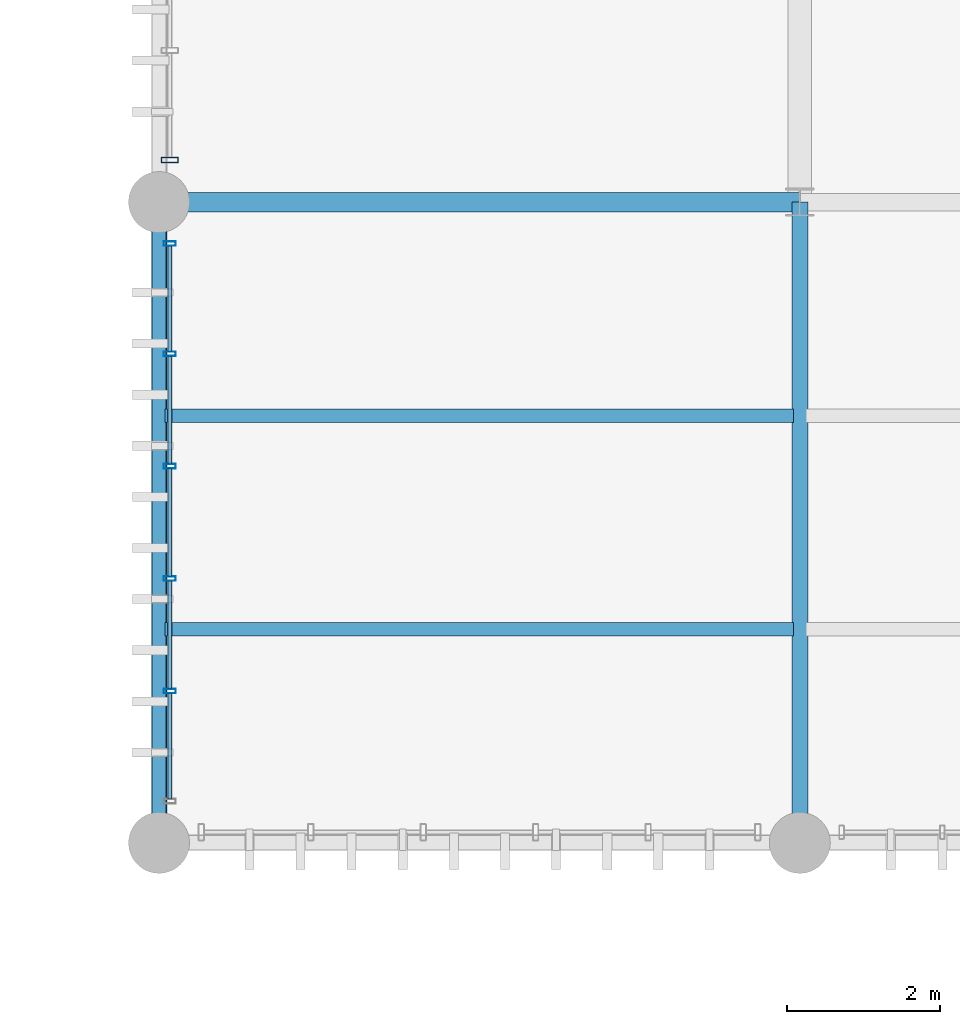
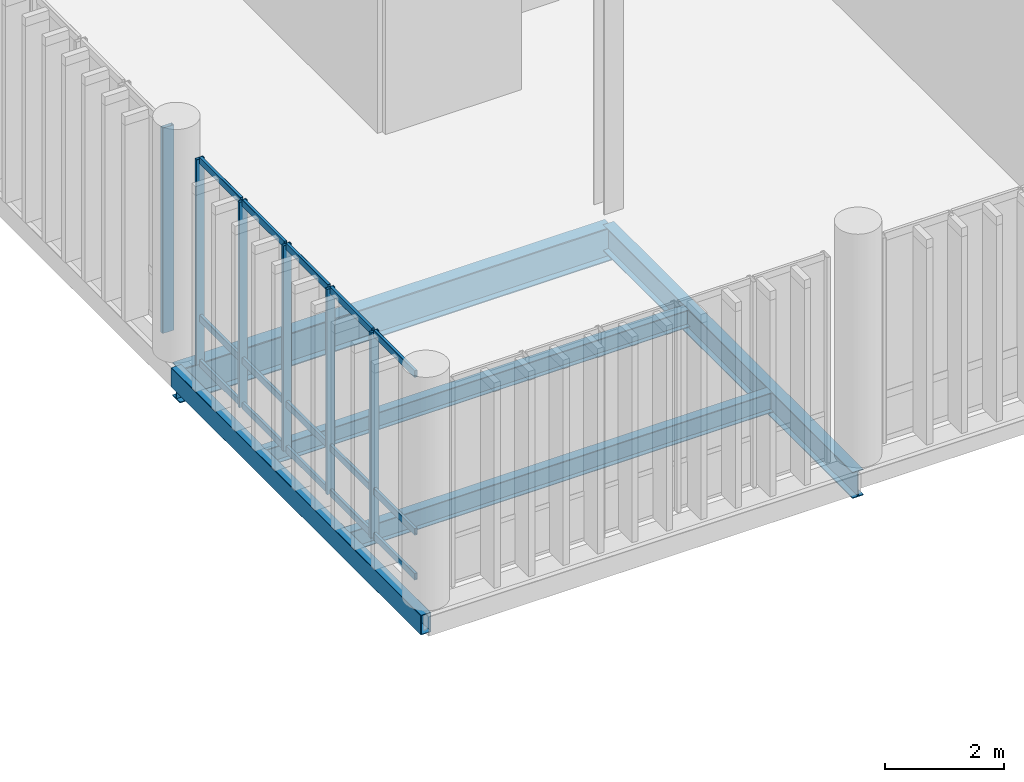
# One storey, part 54 of 94: 21 members, 5 beams, 2 elements without a shape of their own.
"""IFC4 building model written with IfcOpenShell, lengths in metres."""

from ifc_helpers import new_model, si_unit, direction, frame, origin_with_axes, origin_2d_with_axis, place, context, subcontext, project, spatial, hollow_rectangle, i_section, extrude, material, material_profile, profile_set, type_object, element, aggregate, save


model = new_model("IFC4")

# Units and contexts
model_context = context("Model", 3, precision=1e-05, world=origin_with_axes(), true_north=direction((0.0, 1.0)))
body_context = subcontext(model_context, "Body", "Model", "MODEL_VIEW")
ifc_project = project(units=[si_unit("LENGTHUNIT", "METRE"), si_unit("AREAUNIT", "SQUARE_METRE"), si_unit("VOLUMEUNIT", "CUBIC_METRE"), si_unit("PLANEANGLEUNIT", "RADIAN"), si_unit("MASSUNIT", "GRAM", prefix="KILO"), si_unit("THERMODYNAMICTEMPERATUREUNIT", "KELVIN")], contexts=[model_context])

# Site, building, storey
site_placement = place(None, origin_with_axes())
site = spatial("IfcSite", under=ifc_project, at=site_placement, CompositionType="ELEMENT")
building_placement = place(site_placement, origin_with_axes())
building = spatial("IfcBuilding", under=site, at=building_placement, Name="Montbau Bow Law Courts", CompositionType="ELEMENT")
storey_placement = place(building_placement, frame((0.0, 0.0, 15.6), z_axis=(0.0, 0.0, 1.0), x_axis=(1.0, 0.0, 0.0)))
storey = spatial("IfcBuildingStorey", under=building, at=storey_placement, Name="L03", CompositionType="ELEMENT", Elevation=15.6)

# Beams
ifc_material_1 = material(Name="Steel CSA G40.21 Grade 350W (350 MPa)", Category="steel")
ifc_material_profile_1 = material_profile(ifc_material_1, i_section(OverallWidth=0.254, OverallDepth=0.688, WebThickness=0.0131, FlangeThickness=0.0211, at=origin_2d_with_axis()), Name="W690X152", Category="Main", Priority=0)
ifc_profile_set_1 = profile_set([ifc_material_profile_1], Name="Steel CSA G40.21 Grade 350W (350 MPa)")
beam_type_1 = type_object("IfcBeamType", Name="B-FLR-04", PredefinedType="BEAM", material=ifc_profile_set_1)
beam_1_placement = place(None, frame((138.6, 78.0, 14.916), z_axis=(1.0, 0.0, 0.0), x_axis=(0.0, 1.0, 0.0)))
element("IfcBeam", 1, at=beam_1_placement, inside=storey, type_object=beam_type_1, Name="BM-L03-S1209:bm2_1212", PredefinedType="BEAM", context=body_context, shape_type="SweptSolid", body=[
    extrude(i_section(OverallWidth=0.254, OverallDepth=0.688, WebThickness=0.0131, FlangeThickness=0.0211, at=origin_2d_with_axis()), origin_with_axes(), (0.0, 0.0, 1.0), 8.4),
])
ifc_material_profile_2 = material_profile(ifc_material_1, i_section(OverallWidth=0.21, OverallDepth=0.537, WebThickness=0.0109, FlangeThickness=0.0174, at=origin_2d_with_axis()), Name="W530X101", Category="Main", Priority=0)
ifc_profile_set_2 = profile_set([ifc_material_profile_2], Name="Steel CSA G40.21 Grade 350W (350 MPa)")
beam_type_2 = type_object("IfcBeamType", Name="B-FLR-06", PredefinedType="BEAM", material=ifc_profile_set_2)
beam_2_placement = place(None, frame((147.0, 69.6, 14.992), z_axis=(0.0, 1.0, 0.0), x_axis=(-1.0, 0.0, 0.0)))
element("IfcBeam", 2, at=beam_2_placement, inside=storey, type_object=beam_type_2, Name="BM-L03-S1229:bm2_1232", PredefinedType="BEAM", context=body_context, shape_type="SweptSolid", body=[
    extrude(i_section(OverallWidth=0.21, OverallDepth=0.537, WebThickness=0.0109, FlangeThickness=0.0174, at=origin_2d_with_axis()), origin_with_axes(), (0.0, 0.0, 1.0), 8.4),
])
ifc_material_profile_3 = material_profile(ifc_material_1, i_section(OverallWidth=0.179, OverallDepth=0.41, WebThickness=0.0088, FlangeThickness=0.0144, at=origin_2d_with_axis()), Name="W410X67", Category="Main", Priority=0)
ifc_profile_set_3 = profile_set([ifc_material_profile_3], Name="Steel CSA G40.21 Grade 350W (350 MPa)")
beam_type_3 = type_object("IfcBeamType", Name="B-JST-02", PredefinedType="JOIST", material=ifc_profile_set_3)
beam_3_placement = place(None, frame((138.68, 72.4, 15.055), z_axis=(1.0, 0.0, 0.0), x_axis=(0.0, 1.0, 0.0)))
element("IfcBeam", 3, at=beam_3_placement, inside=storey, type_object=beam_type_3, Name="JST-L03-S0637:jst2_0637", PredefinedType="JOIST", context=body_context, shape_type="SweptSolid", body=[
    extrude(i_section(OverallWidth=0.179, OverallDepth=0.41, WebThickness=0.0088, FlangeThickness=0.0144, at=origin_2d_with_axis()), origin_with_axes(), (0.0, 0.0, 1.0), 8.239),
])
ifc_material_profile_4 = material_profile(ifc_material_1, i_section(OverallWidth=0.172, OverallDepth=0.358, WebThickness=0.0079, FlangeThickness=0.0131, at=origin_2d_with_axis()), Name="W360X57", Category="Main", Priority=0)
ifc_profile_set_4 = profile_set([ifc_material_profile_4], Name="Steel CSA G40.21 Grade 350W (350 MPa)")
beam_type_4 = type_object("IfcBeamType", Name="B-JST-03", PredefinedType="JOIST", material=ifc_profile_set_4)
beam_4_placement = place(None, frame((138.68, 75.2, 15.081), z_axis=(1.0, 0.0, 0.0), x_axis=(0.0, 1.0, 0.0)))
element("IfcBeam", 4, at=beam_4_placement, inside=storey, type_object=beam_type_4, Name="JST-L03-S0638:jst2_0638", PredefinedType="JOIST", context=body_context, shape_type="SweptSolid", body=[
    extrude(i_section(OverallWidth=0.172, OverallDepth=0.358, WebThickness=0.0079, FlangeThickness=0.0131, at=origin_2d_with_axis()), origin_with_axes(), (0.0, 0.0, 1.0), 8.239),
])
ifc_material_2 = material(Name="Steel CSA G40.21 Grade 350WT (350 MPa)", Category="steel")
ifc_material_profile_5 = material_profile(ifc_material_2, hollow_rectangle(XDim=0.203, YDim=0.406, WallThickness=0.0127, InnerFilletRadius=0.0254, OuterFilletRadius=0.0127, at=origin_2d_with_axis()), Name="HSS406X203X13", Category="Main", Priority=0)
ifc_profile_set_5 = profile_set([ifc_material_profile_5], Name="Steel CSA G40.21 Grade 350WT (350 MPa)")
beam_type_5 = type_object("IfcBeamType", Name="B-SPN-01", PredefinedType="SPANDREL", material=ifc_profile_set_5)
beam_5_placement = place(None, frame((138.6, 69.6, 15.057), z_axis=(0.0, 1.0, 0.0), x_axis=(-1.0, 0.0, 0.0)))
element("IfcBeam", 5, at=beam_5_placement, inside=storey, type_object=beam_type_5, Name="SPN-L03-S1225:bm2_1228", PredefinedType="SPANDREL", context=body_context, shape_type="SweptSolid", body=[
    extrude(hollow_rectangle(XDim=0.203, YDim=0.406, WallThickness=0.0127, InnerFilletRadius=0.0254, OuterFilletRadius=0.0127, at=origin_2d_with_axis()), origin_with_axes(), (0.0, 0.0, 1.0), 8.4),
])

# Curtain wall, member
ifc_material_3 = material(Name="Thermally Broken Extruded Aluminium AA 6063-T6", Category="aluminium")
curtain_wall_type = type_object("IfcCurtainWallType", Name="CW-SLT-01", PredefinedType="NOTDEFINED", material=ifc_material_3)
curtain_wall_1_placement = place(None, frame((138.74, 78.515, 15.6), z_axis=(0.0, 0.0, 1.0), x_axis=(1.0, 0.0, 0.0)))
curtain_wall_1 = element("IfcCurtainWall", 6, at=curtain_wall_1_placement, inside=storey, type_object=curtain_wall_type, Name="CW-L03-318:cw_0318", PredefinedType="NOTDEFINED")
ifc_material_profile_6 = material_profile(ifc_material_3, hollow_rectangle(XDim=0.075, YDim=0.22, WallThickness=0.005, InnerFilletRadius=0.01, OuterFilletRadius=0.005, at=origin_2d_with_axis()), Name="CWM-220X75", Category="Main", Priority=0)
ifc_profile_set_6 = profile_set([ifc_material_profile_6], Name="Thermally Broken Extruded Aluminium AA 6063-T6")
member_type_1 = type_object("IfcMemberType", Name="M-MUL-01", PredefinedType="MULLION", material=ifc_profile_set_6)
member_1_placement = place(None, frame((138.74, 78.552, 15.6), z_axis=(0.0, 0.0, 1.0), x_axis=(0.0, 1.0, 0.0)))
member_1 = element("IfcMember", 7, at=member_1_placement, type_object=member_type_1, Name="CW-L03-318-M01:cw_0318_M01", PredefinedType="MULLION", context=body_context, shape_type="SweptSolid", body=[
    extrude(hollow_rectangle(XDim=0.075, YDim=0.22, WallThickness=0.005, InnerFilletRadius=0.01, OuterFilletRadius=0.005, at=origin_2d_with_axis()), origin_with_axes(), (0.0, 0.0, 1.0), 4.22),
])
aggregate(curtain_wall_1, [member_1])

# Curtain wall, members
curtain_wall_2_placement = place(None, frame((138.74, 70.115, 15.6), z_axis=(0.0, 0.0, 1.0), x_axis=(1.0, 0.0, 0.0)))
curtain_wall_2 = element("IfcCurtainWall", 8, at=curtain_wall_2_placement, inside=storey, type_object=curtain_wall_type, Name="CW-L03-317:cw_0317", PredefinedType="NOTDEFINED")
ifc_material_profile_7 = material_profile(ifc_material_3, hollow_rectangle(XDim=0.06, YDim=0.16, WallThickness=0.004, InnerFilletRadius=0.008, OuterFilletRadius=0.004, at=origin_2d_with_axis()), Name="CWM-160X60", Category="Main", Priority=0)
ifc_profile_set_7 = profile_set([ifc_material_profile_7], Name="Thermally Broken Extruded Aluminium AA 6063-T6")
member_type_2 = type_object("IfcMemberType", Name="M-MUL-03", PredefinedType="MULLION", material=ifc_profile_set_7)
member_2_placement = place(None, frame((138.74, 71.589, 15.6), z_axis=(0.0, 0.0, 1.0), x_axis=(0.0, 1.0, 0.0)))
member_2 = element("IfcMember", 9, at=member_2_placement, type_object=member_type_2, Name="CW-L03-317-M02:cw_0317_M02", PredefinedType="MULLION", context=body_context, shape_type="SweptSolid", body=[
    extrude(hollow_rectangle(XDim=0.06, YDim=0.16, WallThickness=0.004, InnerFilletRadius=0.008, OuterFilletRadius=0.004, at=origin_2d_with_axis()), origin_with_axes(), (0.0, 0.0, 1.0), 4.22),
])
member_3_placement = place(None, frame((138.74, 73.063, 15.6), z_axis=(0.0, 0.0, 1.0), x_axis=(0.0, 1.0, 0.0)))
member_3 = element("IfcMember", 10, at=member_3_placement, type_object=member_type_2, Name="CW-L03-317-M03:cw_0317_M03", PredefinedType="MULLION", context=body_context, shape_type="SweptSolid", body=[
    extrude(hollow_rectangle(XDim=0.06, YDim=0.16, WallThickness=0.004, InnerFilletRadius=0.008, OuterFilletRadius=0.004, at=origin_2d_with_axis()), origin_with_axes(), (0.0, 0.0, 1.0), 4.22),
])
member_4_placement = place(None, frame((138.74, 74.537, 15.6), z_axis=(0.0, 0.0, 1.0), x_axis=(0.0, 1.0, 0.0)))
member_4 = element("IfcMember", 11, at=member_4_placement, type_object=member_type_2, Name="CW-L03-317-M04:cw_0317_M04", PredefinedType="MULLION", context=body_context, shape_type="SweptSolid", body=[
    extrude(hollow_rectangle(XDim=0.06, YDim=0.16, WallThickness=0.004, InnerFilletRadius=0.008, OuterFilletRadius=0.004, at=origin_2d_with_axis()), origin_with_axes(), (0.0, 0.0, 1.0), 4.22),
])
member_5_placement = place(None, frame((138.74, 76.011, 15.6), z_axis=(0.0, 0.0, 1.0), x_axis=(0.0, 1.0, 0.0)))
member_5 = element("IfcMember", 12, at=member_5_placement, type_object=member_type_2, Name="CW-L03-317-M05:cw_0317_M05", PredefinedType="MULLION", context=body_context, shape_type="SweptSolid", body=[
    extrude(hollow_rectangle(XDim=0.06, YDim=0.16, WallThickness=0.004, InnerFilletRadius=0.008, OuterFilletRadius=0.004, at=origin_2d_with_axis()), origin_with_axes(), (0.0, 0.0, 1.0), 4.22),
])
member_6_placement = place(None, frame((138.74, 77.455, 15.6), z_axis=(0.0, 0.0, 1.0), x_axis=(0.0, 1.0, 0.0)))
member_6 = element("IfcMember", 13, at=member_6_placement, type_object=member_type_2, Name="CW-L03-317-M06:cw_0317_M06", PredefinedType="MULLION", context=body_context, shape_type="SweptSolid", body=[
    extrude(hollow_rectangle(XDim=0.06, YDim=0.16, WallThickness=0.004, InnerFilletRadius=0.008, OuterFilletRadius=0.004, at=origin_2d_with_axis()), origin_with_axes(), (0.0, 0.0, 1.0), 4.22),
])
ifc_material_profile_8 = material_profile(ifc_material_3, hollow_rectangle(XDim=0.055, YDim=0.14, WallThickness=0.004, InnerFilletRadius=0.008, OuterFilletRadius=0.004, at=origin_2d_with_axis()), Name="CWT-140X55", Category="Main", Priority=0)
ifc_profile_set_8 = profile_set([ifc_material_profile_8], Name="Thermally Broken Extruded Aluminium AA 6063-T6")
member_type_3 = type_object("IfcMemberType", Name="M-TRN-02", PredefinedType="USERDEFINED", material=ifc_profile_set_8)
member_7_placement = place(None, frame((138.74, 70.177, 15.627), z_axis=(0.0, 1.0, 0.0), x_axis=(-1.0, 0.0, 0.0)))
member_7 = element("IfcMember", 14, at=member_7_placement, type_object=member_type_3, Name="CW-L03-317-T01-1:cw_0317_T01_1", ObjectType="TRANSOM", PredefinedType="USERDEFINED", context=body_context, shape_type="SweptSolid", body=[
    extrude(hollow_rectangle(XDim=0.055, YDim=0.14, WallThickness=0.004, InnerFilletRadius=0.008, OuterFilletRadius=0.004, at=origin_2d_with_axis()), origin_with_axes(), (0.0, 0.0, 1.0), 1.38),
])
member_8_placement = place(None, frame((138.74, 70.177, 16.55), z_axis=(0.0, 1.0, 0.0), x_axis=(-1.0, 0.0, 0.0)))
member_8 = element("IfcMember", 15, at=member_8_placement, type_object=member_type_3, Name="CW-L03-317-T01-2:cw_0317_T01_2", ObjectType="TRANSOM", PredefinedType="USERDEFINED", context=body_context, shape_type="SweptSolid", body=[
    extrude(hollow_rectangle(XDim=0.055, YDim=0.14, WallThickness=0.004, InnerFilletRadius=0.008, OuterFilletRadius=0.004, at=origin_2d_with_axis()), origin_with_axes(), (0.0, 0.0, 1.0), 1.38),
])
member_9_placement = place(None, frame((138.74, 70.177, 19.793), z_axis=(0.0, 1.0, 0.0), x_axis=(-1.0, 0.0, 0.0)))
member_9 = element("IfcMember", 16, at=member_9_placement, type_object=member_type_3, Name="CW-L03-317-T01-3:cw_0317_T01_3", ObjectType="TRANSOM", PredefinedType="USERDEFINED", context=body_context, shape_type="SweptSolid", body=[
    extrude(hollow_rectangle(XDim=0.055, YDim=0.14, WallThickness=0.004, InnerFilletRadius=0.008, OuterFilletRadius=0.004, at=origin_2d_with_axis()), origin_with_axes(), (0.0, 0.0, 1.0), 1.38),
])
member_10_placement = place(None, frame((138.74, 71.621, 15.627), z_axis=(0.0, 1.0, 0.0), x_axis=(-1.0, 0.0, 0.0)))
member_10 = element("IfcMember", 17, at=member_10_placement, type_object=member_type_3, Name="CW-L03-317-T02-1:cw_0317_T02_1", ObjectType="TRANSOM", PredefinedType="USERDEFINED", context=body_context, shape_type="SweptSolid", body=[
    extrude(hollow_rectangle(XDim=0.055, YDim=0.14, WallThickness=0.004, InnerFilletRadius=0.008, OuterFilletRadius=0.004, at=origin_2d_with_axis()), origin_with_axes(), (0.0, 0.0, 1.0), 1.41),
])
member_11_placement = place(None, frame((138.74, 71.621, 16.55), z_axis=(0.0, 1.0, 0.0), x_axis=(-1.0, 0.0, 0.0)))
member_11 = element("IfcMember", 18, at=member_11_placement, type_object=member_type_3, Name="CW-L03-317-T02-2:cw_0317_T02_2", ObjectType="TRANSOM", PredefinedType="USERDEFINED", context=body_context, shape_type="SweptSolid", body=[
    extrude(hollow_rectangle(XDim=0.055, YDim=0.14, WallThickness=0.004, InnerFilletRadius=0.008, OuterFilletRadius=0.004, at=origin_2d_with_axis()), origin_with_axes(), (0.0, 0.0, 1.0), 1.41),
])
member_12_placement = place(None, frame((138.74, 71.621, 19.793), z_axis=(0.0, 1.0, 0.0), x_axis=(-1.0, 0.0, 0.0)))
member_12 = element("IfcMember", 19, at=member_12_placement, type_object=member_type_3, Name="CW-L03-317-T02-3:cw_0317_T02_3", ObjectType="TRANSOM", PredefinedType="USERDEFINED", context=body_context, shape_type="SweptSolid", body=[
    extrude(hollow_rectangle(XDim=0.055, YDim=0.14, WallThickness=0.004, InnerFilletRadius=0.008, OuterFilletRadius=0.004, at=origin_2d_with_axis()), origin_with_axes(), (0.0, 0.0, 1.0), 1.41),
])
member_13_placement = place(None, frame((138.74, 73.095, 15.627), z_axis=(0.0, 1.0, 0.0), x_axis=(-1.0, 0.0, 0.0)))
member_13 = element("IfcMember", 20, at=member_13_placement, type_object=member_type_3, Name="CW-L03-317-T03-1:cw_0317_T03_1", ObjectType="TRANSOM", PredefinedType="USERDEFINED", context=body_context, shape_type="SweptSolid", body=[
    extrude(hollow_rectangle(XDim=0.055, YDim=0.14, WallThickness=0.004, InnerFilletRadius=0.008, OuterFilletRadius=0.004, at=origin_2d_with_axis()), origin_with_axes(), (0.0, 0.0, 1.0), 1.41),
])
member_14_placement = place(None, frame((138.74, 73.095, 16.55), z_axis=(0.0, 1.0, 0.0), x_axis=(-1.0, 0.0, 0.0)))
member_14 = element("IfcMember", 21, at=member_14_placement, type_object=member_type_3, Name="CW-L03-317-T03-2:cw_0317_T03_2", ObjectType="TRANSOM", PredefinedType="USERDEFINED", context=body_context, shape_type="SweptSolid", body=[
    extrude(hollow_rectangle(XDim=0.055, YDim=0.14, WallThickness=0.004, InnerFilletRadius=0.008, OuterFilletRadius=0.004, at=origin_2d_with_axis()), origin_with_axes(), (0.0, 0.0, 1.0), 1.41),
])
member_15_placement = place(None, frame((138.74, 73.095, 19.793), z_axis=(0.0, 1.0, 0.0), x_axis=(-1.0, 0.0, 0.0)))
member_15 = element("IfcMember", 22, at=member_15_placement, type_object=member_type_3, Name="CW-L03-317-T03-3:cw_0317_T03_3", ObjectType="TRANSOM", PredefinedType="USERDEFINED", context=body_context, shape_type="SweptSolid", body=[
    extrude(hollow_rectangle(XDim=0.055, YDim=0.14, WallThickness=0.004, InnerFilletRadius=0.008, OuterFilletRadius=0.004, at=origin_2d_with_axis()), origin_with_axes(), (0.0, 0.0, 1.0), 1.41),
])
member_16_placement = place(None, frame((138.74, 74.569, 15.627), z_axis=(0.0, 1.0, 0.0), x_axis=(-1.0, 0.0, 0.0)))
member_16 = element("IfcMember", 23, at=member_16_placement, type_object=member_type_3, Name="CW-L03-317-T04-1:cw_0317_T04_1", ObjectType="TRANSOM", PredefinedType="USERDEFINED", context=body_context, shape_type="SweptSolid", body=[
    extrude(hollow_rectangle(XDim=0.055, YDim=0.14, WallThickness=0.004, InnerFilletRadius=0.008, OuterFilletRadius=0.004, at=origin_2d_with_axis()), origin_with_axes(), (0.0, 0.0, 1.0), 1.41),
])
member_17_placement = place(None, frame((138.74, 74.569, 16.55), z_axis=(0.0, 1.0, 0.0), x_axis=(-1.0, 0.0, 0.0)))
member_17 = element("IfcMember", 24, at=member_17_placement, type_object=member_type_3, Name="CW-L03-317-T04-2:cw_0317_T04_2", ObjectType="TRANSOM", PredefinedType="USERDEFINED", context=body_context, shape_type="SweptSolid", body=[
    extrude(hollow_rectangle(XDim=0.055, YDim=0.14, WallThickness=0.004, InnerFilletRadius=0.008, OuterFilletRadius=0.004, at=origin_2d_with_axis()), origin_with_axes(), (0.0, 0.0, 1.0), 1.41),
])
member_18_placement = place(None, frame((138.74, 74.569, 19.793), z_axis=(0.0, 1.0, 0.0), x_axis=(-1.0, 0.0, 0.0)))
member_18 = element("IfcMember", 25, at=member_18_placement, type_object=member_type_3, Name="CW-L03-317-T04-3:cw_0317_T04_3", ObjectType="TRANSOM", PredefinedType="USERDEFINED", context=body_context, shape_type="SweptSolid", body=[
    extrude(hollow_rectangle(XDim=0.055, YDim=0.14, WallThickness=0.004, InnerFilletRadius=0.008, OuterFilletRadius=0.004, at=origin_2d_with_axis()), origin_with_axes(), (0.0, 0.0, 1.0), 1.41),
])
member_19_placement = place(None, frame((138.74, 76.043, 15.627), z_axis=(0.0, 1.0, 0.0), x_axis=(-1.0, 0.0, 0.0)))
member_19 = element("IfcMember", 26, at=member_19_placement, type_object=member_type_3, Name="CW-L03-317-T05-1:cw_0317_T05_1", ObjectType="TRANSOM", PredefinedType="USERDEFINED", context=body_context, shape_type="SweptSolid", body=[
    extrude(hollow_rectangle(XDim=0.055, YDim=0.14, WallThickness=0.004, InnerFilletRadius=0.008, OuterFilletRadius=0.004, at=origin_2d_with_axis()), origin_with_axes(), (0.0, 0.0, 1.0), 1.38),
])
member_20_placement = place(None, frame((138.74, 76.043, 16.55), z_axis=(0.0, 1.0, 0.0), x_axis=(-1.0, 0.0, 0.0)))
member_20 = element("IfcMember", 27, at=member_20_placement, type_object=member_type_3, Name="CW-L03-317-T05-2:cw_0317_T05_2", ObjectType="TRANSOM", PredefinedType="USERDEFINED", context=body_context, shape_type="SweptSolid", body=[
    extrude(hollow_rectangle(XDim=0.055, YDim=0.14, WallThickness=0.004, InnerFilletRadius=0.008, OuterFilletRadius=0.004, at=origin_2d_with_axis()), origin_with_axes(), (0.0, 0.0, 1.0), 1.38),
])
member_21_placement = place(None, frame((138.74, 76.043, 19.793), z_axis=(0.0, 1.0, 0.0), x_axis=(-1.0, 0.0, 0.0)))
member_21 = element("IfcMember", 28, at=member_21_placement, type_object=member_type_3, Name="CW-L03-317-T05-3:cw_0317_T05_3", ObjectType="TRANSOM", PredefinedType="USERDEFINED", context=body_context, shape_type="SweptSolid", body=[
    extrude(hollow_rectangle(XDim=0.055, YDim=0.14, WallThickness=0.004, InnerFilletRadius=0.008, OuterFilletRadius=0.004, at=origin_2d_with_axis()), origin_with_axes(), (0.0, 0.0, 1.0), 1.38),
])
aggregate(curtain_wall_2, [member_2, member_3, member_4, member_5, member_6, member_7, member_8, member_9, member_10, member_11, member_12, member_13, member_14, member_15, member_16, member_17, member_18, member_19, member_20, member_21])

save(model, "model.ifc")
